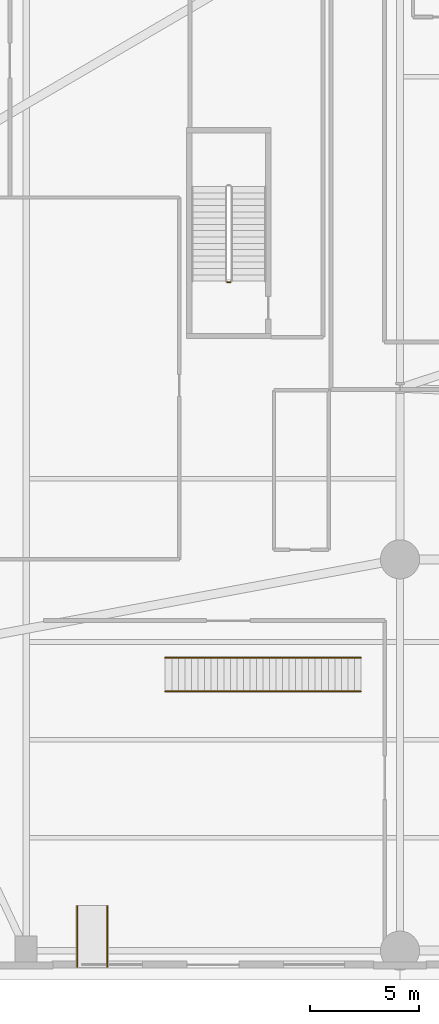
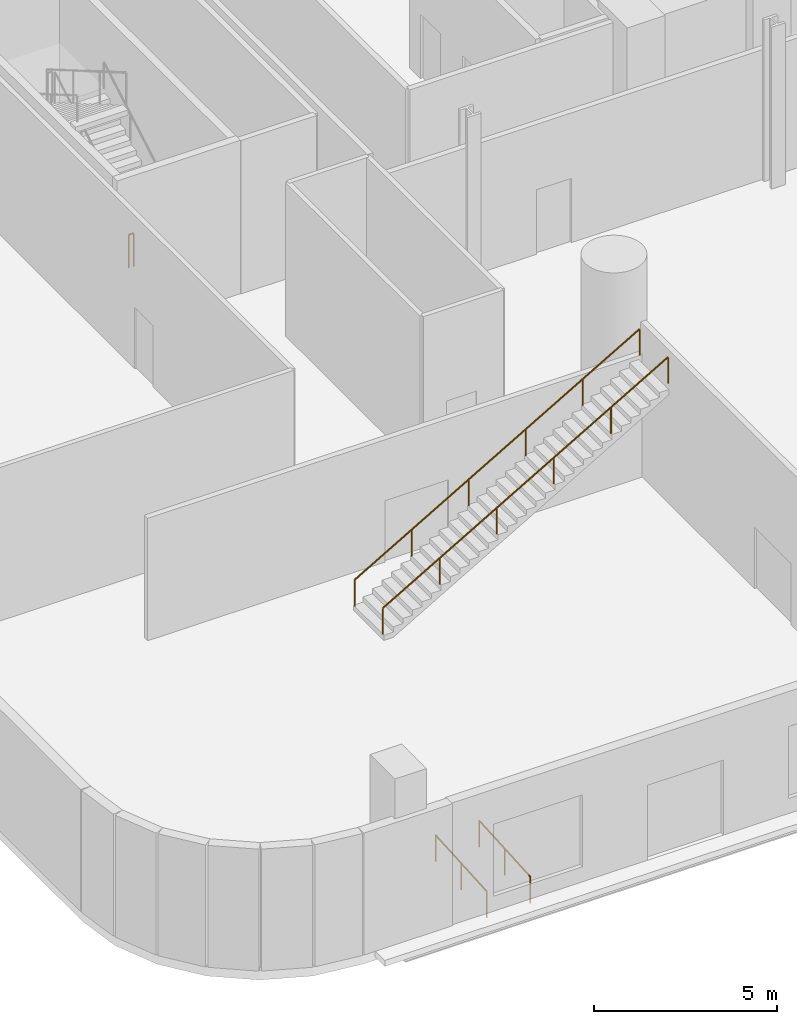
# One storey, part 20 of 26: 5 railings.
"""IFC4 building model written with IfcOpenShell, lengths in metres."""

from ifc_helpers import new_model, si_unit, direction, frame, origin, origin_2d, place, context, subcontext, project, spatial, circle, extrude, material, type_object, element, save


model = new_model("IFC4")

# Units and contexts
model_context = context("Model", 3, precision=1e-05, world=origin(), true_north=direction((0.0, 1.0)))
body_context = subcontext(model_context, "Body", "Model", "MODEL_VIEW")
ifc_project = project(units=[si_unit("LENGTHUNIT", "METRE"), si_unit("AREAUNIT", "SQUARE_METRE"), si_unit("VOLUMEUNIT", "CUBIC_METRE"), si_unit("PLANEANGLEUNIT", "RADIAN"), si_unit("MASSUNIT", "GRAM", prefix="KILO")], contexts=[model_context])

# Site, building, storey
site_placement = place(None, origin())
site = spatial("IfcSite", under=ifc_project, at=site_placement, CompositionType="ELEMENT")
building_placement = place(site_placement, origin())
building = spatial("IfcBuilding", under=site, at=building_placement, Name="Varnelok Gate Tower", CompositionType="ELEMENT")
storey_placement = place(building_placement, origin())
storey = spatial("IfcBuildingStorey", under=building, at=storey_placement, Name="L00", CompositionType="ELEMENT", Elevation=0.0)

# Railings
ifc_material_1 = material(Name="Brushed Stainless Steel AISI 316", Category="steel")
railing_type_1 = type_object("IfcRailingType", Name="RL-HANDRAIL-900", PredefinedType="HANDRAIL", material=ifc_material_1)
for number, where, name in (
    (1, (13.60009765625, 12.72509765625, 0.17431640625), "ST-4-L00W Handrail L"),
    (2, (13.60009765625, 14.27490234375, 0.17431640625), "ST-4-L00W Handrail R"),
):
    element("IfcRailing", number, at=place(storey_placement, frame(where)), inside=storey, type_object=railing_type_1, Name=name, PredefinedType="HANDRAIL", context=body_context, shape_type="SweptSolid", body=[
        extrude(circle(Radius=0.02392578125, at=origin_2d()), frame((0.0, 0.0, 0.8759765625), z_axis=(0.864798147564, 0.0, 0.502119670965), x_axis=(0.0, 1.0, 0.0)), (0.0, 0.0, 1.0), 10.406982421875),
        extrude(circle(Radius=0.02099609375, at=origin_2d()), origin(), (0.0, 0.0, 1.0), 0.851806640625),
        extrude(circle(Radius=0.02099609375, at=origin_2d()), frame((1.800048828125, 0.0, 1.045166015625)), (0.0, 0.0, 1.0), 0.851806640625),
        extrude(circle(Radius=0.02099609375, at=origin_2d()), frame((3.60009765625, 0.0, 2.09033203125)), (0.0, 0.0, 1.0), 0.851806640625),
        extrude(circle(Radius=0.02099609375, at=origin_2d()), frame((5.39990234375, 0.0, 3.13525390625)), (0.0, 0.0, 1.0), 0.851806640625),
        extrude(circle(Radius=0.02099609375, at=origin_2d()), frame((7.199951171875, 0.0, 4.180419921875)), (0.0, 0.0, 1.0), 0.851806640625),
        extrude(circle(Radius=0.02099609375, at=origin_2d()), frame((9.0, 0.0, 5.2255859375)), (0.0, 0.0, 1.0), 0.851806640625),
    ])
railing_type_2 = type_object("IfcRailingType", Name="RL-RAMP-HAND900", PredefinedType="HANDRAIL", material=ifc_material_1)
for number, where, name in (
    (3, (9.56005859375, 0.050048828125, -0.179931640625), "Accessible Ramp AR-1 Handrail W"),
    (4, (10.93994140625, 0.050048828125, -0.179931640625), "Accessible Ramp AR-1 Handrail E"),
):
    element("IfcRailing", number, at=place(storey_placement, frame(where)), inside=storey, type_object=railing_type_2, Name=name, PredefinedType="HANDRAIL", context=body_context, shape_type="SweptSolid", body=[
        extrude(circle(Radius=0.02392578125, at=origin_2d()), frame((0.0, 0.0, 0.8759765625), z_axis=(0.0, 0.997941687122, 0.064127912059), x_axis=(-1.0, 0.0, 0.0)), (0.0, 0.0, 1.0), 2.805908203125),
        extrude(circle(Radius=0.02099609375, at=origin_2d()), origin(), (0.0, 0.0, 1.0), 0.851806640625),
        extrude(circle(Radius=0.02099609375, at=origin_2d()), frame((0.0, 1.39990234375, 0.08984375)), (0.0, 0.0, 1.0), 0.851806640625),
        extrude(circle(Radius=0.02099609375, at=origin_2d()), frame((0.0, 2.800048828125, 0.179931640625)), (0.0, 0.0, 1.0), 0.851806640625),
    ])
ifc_material_2 = material(Name="Galvanized Steel Grade S350GD", Category="steel")
railing_type_3 = type_object("IfcRailingType", Name="RL-STAIR-GUARD1120", PredefinedType="GUARDRAIL", material=ifc_material_2)
railing_placement = place(storey_placement, frame((16.60009765625, 31.550048828125, 0.0)))
element("IfcRailing", 5, at=railing_placement, inside=storey, type_object=railing_type_3, Name="L00 ST-3 stair guard 4", PredefinedType="GUARDRAIL", context=body_context, shape_type="SweptSolid", body=[
    extrude(circle(Radius=0.02392578125, at=origin_2d()), frame((0.0, 0.0, 1.09619140625), z_axis=(-1.0, 0.0, 0.0), x_axis=(0.0, -1.0, 0.0)), (0.0, 0.0, 1.0), 0.150146484375),
    extrude(circle(Radius=0.02099609375, at=origin_2d()), origin(), (0.0, 0.0, 1.0), 1.072021484375),
    extrude(circle(Radius=0.02099609375, at=origin_2d()), frame((-0.150146484375, 0.0, 0.0)), (0.0, 0.0, 1.0), 1.072021484375),
])

save(model, "model.ifc")
